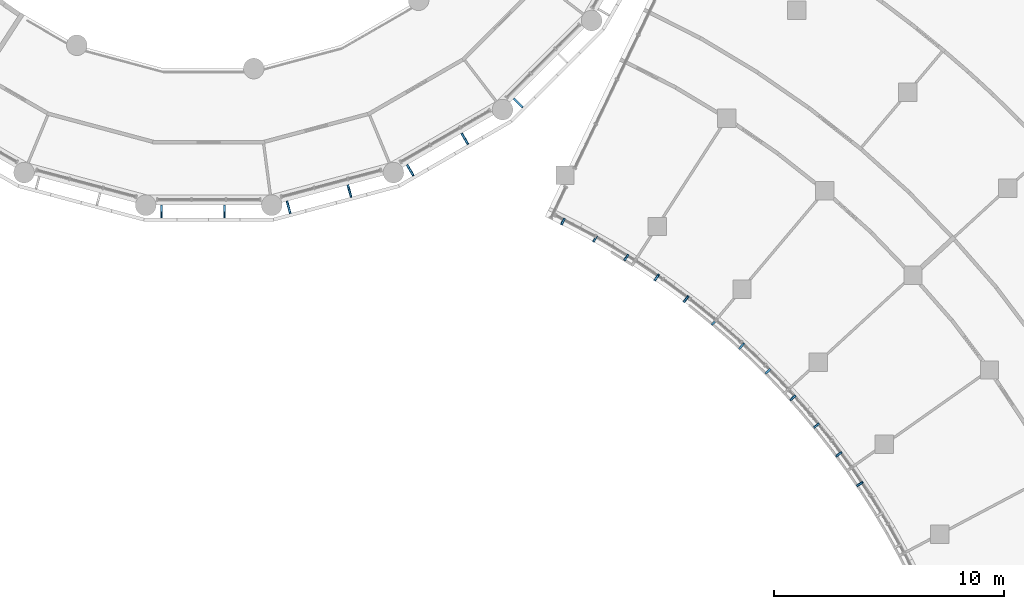
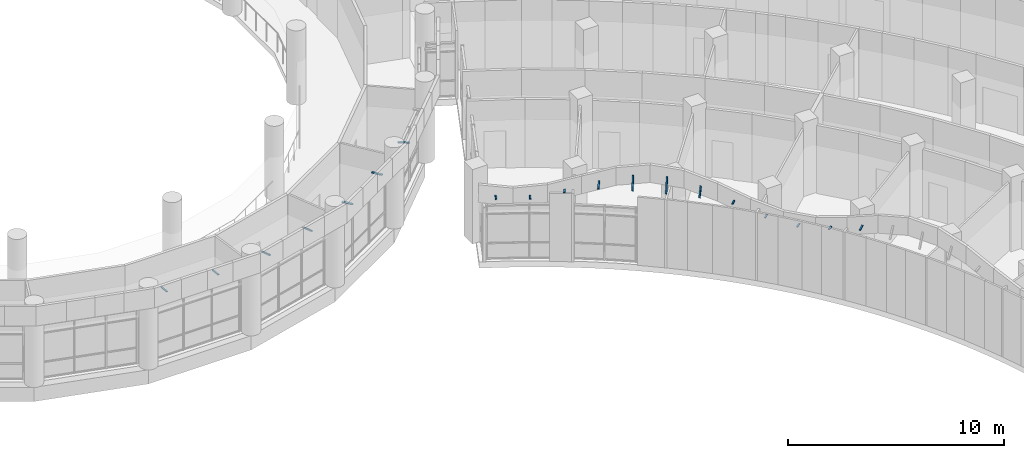
# One storey, part 83 of 109: 19 discrete accessories.
"""IFC4 building model written with IfcOpenShell, lengths in metres."""

from ifc_helpers import new_model, si_unit, direction, frame, origin, origin_2d, place, context, subcontext, project, spatial, rectangle, extrude, material, material_profile, profile_set, type_object, element, save


model = new_model("IFC4")

# Units and contexts
model_context = context("Model", 3, precision=1e-05, world=origin(), true_north=direction((0.0, 1.0)))
body_context = subcontext(model_context, "Body", "Model", "MODEL_VIEW")
ifc_project = project(units=[si_unit("LENGTHUNIT", "METRE"), si_unit("AREAUNIT", "SQUARE_METRE"), si_unit("VOLUMEUNIT", "CUBIC_METRE"), si_unit("PLANEANGLEUNIT", "RADIAN"), si_unit("MASSUNIT", "GRAM", prefix="KILO")], contexts=[model_context])

# Site, building, storey
site_placement = place(None, origin())
site = spatial("IfcSite", under=ifc_project, at=site_placement, CompositionType="ELEMENT")
building_placement = place(site_placement, origin())
building = spatial("IfcBuilding", under=site, at=building_placement, Name="Bougainvillea Quay General Hospital", CompositionType="ELEMENT")
storey_placement = place(building_placement, frame((0.0, 0.0, 12.60009765625)))
storey = spatial("IfcBuildingStorey", under=building, at=storey_placement, Name="L02", CompositionType="ELEMENT", Elevation=12.60009765625)

# Discrete accessories
ifc_material = material(Name="Stainless steel bracket, grade 316", Category="steel")
ifc_material_profile = material_profile(ifc_material, rectangle(XDim=0.080078125, YDim=0.050048828125, at=origin_2d()))
ifc_profile_set = profile_set([ifc_material_profile], Name="Stainless steel bracket, grade 316")
discrete_accessory_type = type_object("IfcDiscreteAccessoryType", Name="Stainless steel stand-off bracket 80x50", PredefinedType="BRACKET", material=ifc_profile_set)
for number, where, z_axis, x_axis, name in (
    (1, (124.541015625, 52.33203125, 3.525390625), (0.451117928368, 0.892464349263, 0.0), (-0.892464349263, 0.451117928368, 0.0), "Fascia bracket a21 1"),
    (2, (125.931640625, 51.587646484375, 3.4951171875), (0.492540051945, 0.870289777735, 0.0), (-0.870289777735, 0.492540051945, 0.0), "Fascia bracket a21 2"),
):
    element("IfcDiscreteAccessory", number, at=place(storey_placement, frame(where, z_axis=z_axis, x_axis=x_axis)), inside=storey, type_object=discrete_accessory_type, Name=name, PredefinedType="BRACKET", context=body_context, shape_type="SweptSolid", body=[
        extrude(rectangle(XDim=0.080078125, YDim=0.050048828125, at=origin_2d()), origin(), (0.0, 0.0, 1.0), 0.2998046875),
    ])
discrete_accessory_1_placement = place(storey_placement, frame((127.286376953125, 50.779541015625, 3.850830078125), z_axis=(0.532338235015, 0.846531749872, 0.0), x_axis=(-0.846531749872, 0.532338235015, 0.0)))
element("IfcDiscreteAccessory", 3, at=discrete_accessory_1_placement, inside=storey, type_object=discrete_accessory_type, Name="Fascia bracket a21 3", PredefinedType="BRACKET", context=body_context, shape_type="SweptSolid", body=[
    extrude(rectangle(XDim=0.080078125, YDim=0.050048828125, at=origin_2d()), origin(), (0.0, 0.0, 1.0), 0.300048828125),
])
discrete_accessory_2_placement = place(storey_placement, frame((128.60205078125, 49.909423828125, 4.139892578125), z_axis=(0.432349981978, 0.622312598881, 0.652533924297), x_axis=(-0.821253430982, 0.570563582873, 0.0)))
element("IfcDiscreteAccessory", 4, at=discrete_accessory_2_placement, inside=storey, type_object=discrete_accessory_type, Name="Fascia bracket a21 4", PredefinedType="BRACKET", context=body_context, shape_type="SweptSolid", body=[
    extrude(rectangle(XDim=0.080078125, YDim=0.050048828125, at=origin_2d()), origin(), (0.0, 0.0, 1.0), 0.395751953125),
])
discrete_accessory_3_placement = place(storey_placement, frame((129.8759765625, 48.979248046875, 4.139892578125), z_axis=(0.240418608512, 0.31379938862, 0.918547133458), x_axis=(-0.793802879778, 0.60817512943, 0.0)))
element("IfcDiscreteAccessory", 5, at=discrete_accessory_3_placement, inside=storey, type_object=discrete_accessory_type, Name="Fascia bracket a21 5", PredefinedType="BRACKET", context=body_context, shape_type="SweptSolid", body=[
    extrude(rectangle(XDim=0.080078125, YDim=0.050048828125, at=origin_2d()), origin(), (0.0, 0.0, 1.0), 0.758544921875),
])
discrete_accessory_4_placement = place(storey_placement, frame((131.10546875, 47.990966796875, 4.139892578125), z_axis=(0.229994845758, 0.272683283039, 0.934208862126), x_axis=(-0.764404316696, 0.644737187245, 0.0)))
element("IfcDiscreteAccessory", 6, at=discrete_accessory_4_placement, inside=storey, type_object=discrete_accessory_type, Name="Fascia bracket a21 6", PredefinedType="BRACKET", context=body_context, shape_type="SweptSolid", body=[
    extrude(rectangle(XDim=0.080078125, YDim=0.050048828125, at=origin_2d()), origin(), (0.0, 0.0, 1.0), 0.8408203125),
])
discrete_accessory_5_placement = place(storey_placement, frame((132.28759765625, 46.946533203125, 4.139892578125), z_axis=(0.362644788153, 0.391743232232, 0.845592098843), x_axis=(-0.733835777101, 0.679326911175, 0.0)))
element("IfcDiscreteAccessory", 7, at=discrete_accessory_5_placement, inside=storey, type_object=discrete_accessory_type, Name="Fascia bracket a21 7", PredefinedType="BRACKET", context=body_context, shape_type="SweptSolid", body=[
    extrude(rectangle(XDim=0.080078125, YDim=0.050048828125, at=origin_2d()), origin(), (0.0, 0.0, 1.0), 0.562255859375),
])
discrete_accessory_6_placement = place(storey_placement, frame((133.420166015625, 45.8486328125, 4.0771484375), z_axis=(0.712378936326, 0.7017950207, 0.0), x_axis=(-0.7017950207, 0.712378936326, 0.0)))
element("IfcDiscreteAccessory", 8, at=discrete_accessory_6_placement, inside=storey, type_object=discrete_accessory_type, Name="Fascia bracket a21 8", PredefinedType="BRACKET", context=body_context, shape_type="SweptSolid", body=[
    extrude(rectangle(XDim=0.080078125, YDim=0.050048828125, at=origin_2d()), origin(), (0.0, 0.0, 1.0), 0.2998046875),
])
for number, where, z_axis, x_axis, name in (
    (9, (134.50048828125, 44.69921875, 3.6064453125), (0.744304488763, 0.667840421065, 0.0), (-0.667840421065, 0.744304488763, 0.0), "Fascia bracket a21 9"),
    (10, (135.5263671875, 43.5009765625, 3.461669921875), (0.774319560979, 0.632794767271, 0.0), (-0.632794767271, 0.774319560979, 0.0), "Fascia bracket a21 10"),
):
    element("IfcDiscreteAccessory", number, at=place(storey_placement, frame(where, z_axis=z_axis, x_axis=x_axis)), inside=storey, type_object=discrete_accessory_type, Name=name, PredefinedType="BRACKET", context=body_context, shape_type="SweptSolid", body=[
        extrude(rectangle(XDim=0.080078125, YDim=0.050048828125, at=origin_2d()), origin(), (0.0, 0.0, 1.0), 0.300048828125),
    ])
discrete_accessory_7_placement = place(storey_placement, frame((136.49560546875, 42.256591796875, 3.72265625), z_axis=(0.802922012097, 0.596084090117, 0.0), x_axis=(-0.596084090117, 0.802922012097, 0.0)))
element("IfcDiscreteAccessory", 11, at=discrete_accessory_7_placement, inside=storey, type_object=discrete_accessory_type, Name="Fascia bracket a21 11", PredefinedType="BRACKET", context=body_context, shape_type="SweptSolid", body=[
    extrude(rectangle(XDim=0.080078125, YDim=0.050048828125, at=origin_2d()), origin(), (0.0, 0.0, 1.0), 0.2998046875),
])
discrete_accessory_8_placement = place(storey_placement, frame((137.406005859375, 40.968505859375, 4.139892578125), z_axis=(0.782671869165, 0.526133690263, 0.332577938517), x_axis=(-0.557891216139, 0.82991408649, 0.0)))
element("IfcDiscreteAccessory", 12, at=discrete_accessory_8_placement, inside=storey, type_object=discrete_accessory_type, Name="Fascia bracket a21 12", PredefinedType="BRACKET", context=body_context, shape_type="SweptSolid", body=[
    extrude(rectangle(XDim=0.080078125, YDim=0.050048828125, at=origin_2d()), origin(), (0.0, 0.0, 1.0), 0.31787109375),
])
for number, where, z_axis, x_axis, name in (
    (13, (107.144287109375, 53.179931640625, 4.139892578125), (0.0, -0.994091793559, 0.108542645901), (1.0, 0.0, 0.0), "Fascia bracket e0 23"),
    (14, (109.88525390625, 53.179931640625, 4.139892578125), (0.0, -0.994091793559, 0.108542645901), (1.0, 0.0, 0.0), "Fascia bracket e0 25"),
    (15, (112.602783203125, 53.357421875, 4.139892578125), (0.257677899542, -0.960114913363, 0.108542402889), (0.965821158526, 0.259209355046, 0.0), "Fascia bracket e0 27"),
    (16, (115.25048828125, 54.06689453125, 4.139892578125), (0.257265896735, -0.96022399879, 0.108554735157), (0.965932200741, 0.258795254151, 0.0), "Fascia bracket e0 29"),
    (17, (117.82958984375, 54.941650390625, 4.139892578125), (0.496909065825, -0.860985424, 0.108560950438), (0.866104278045, 0.499863360881, 0.0), "Fascia bracket e0 31"),
    (18, (120.20361328125, 56.31201171875, 4.139892578125), (0.496909065825, -0.860985424, 0.108560950438), (0.866104278045, 0.499863360881, 0.0), "Fascia bracket e0 33"),
    (19, (122.468505859375, 57.824462890625, 4.139892578125), (0.702928468265, -0.702928468265, 0.108550158941), (0.707106781187, 0.707106781187, 0.0), "Fascia bracket e0 35"),
):
    element("IfcDiscreteAccessory", number, at=place(storey_placement, frame(where, z_axis=z_axis, x_axis=x_axis)), inside=storey, type_object=discrete_accessory_type, Name=name, PredefinedType="BRACKET", context=body_context, shape_type="SweptSolid", body=[
        extrude(rectangle(XDim=0.080078125, YDim=0.050048828125, at=origin_2d()), origin(), (0.0, 0.0, 1.0), 0.55322265625),
    ])

save(model, "model.ifc")
